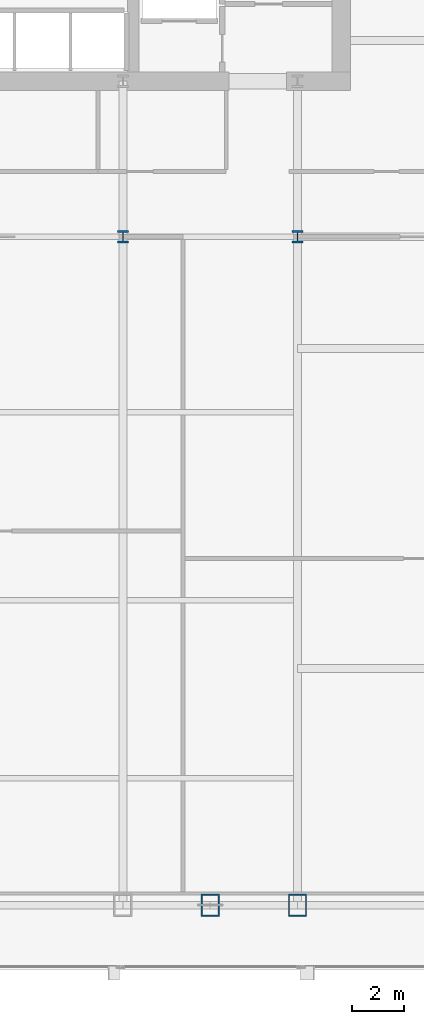
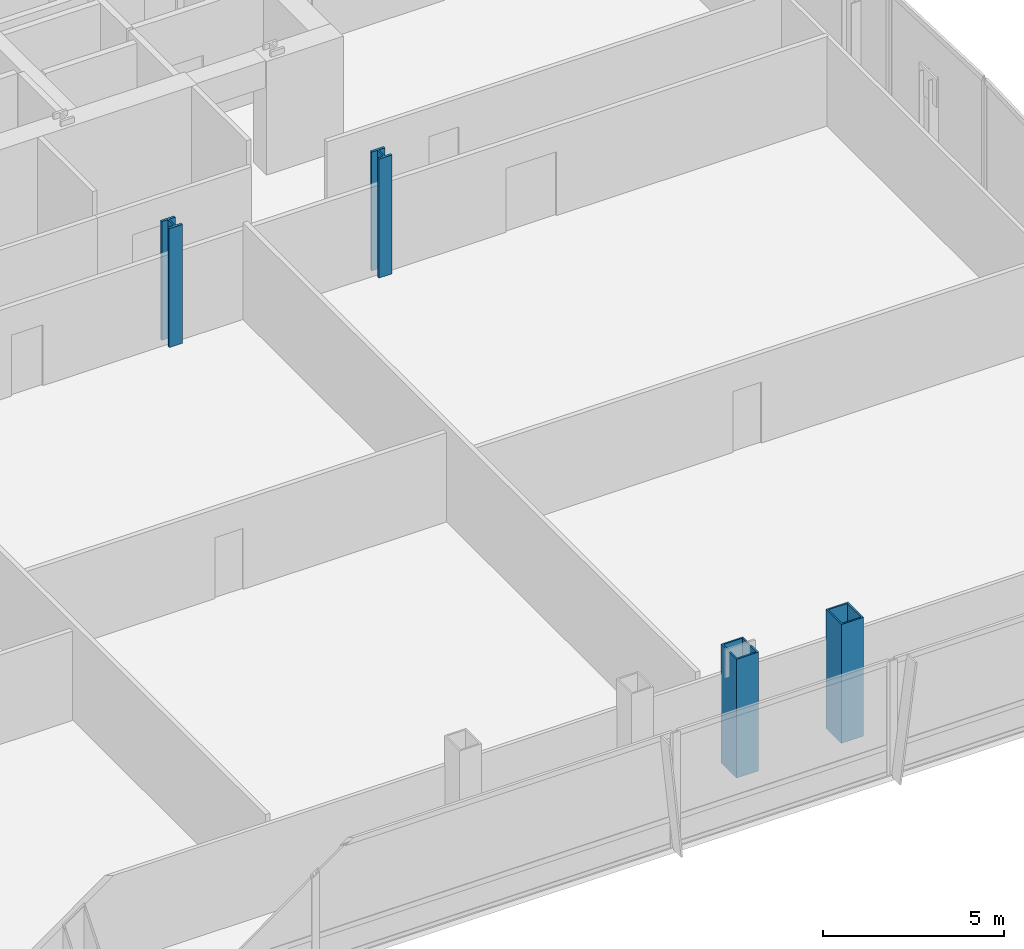
# One storey, part 2 of 30: 4 columns.
"""IFC4 building model written with IfcOpenShell, lengths in metres."""

from ifc_helpers import new_model, si_unit, direction, frame, origin, origin_2d, place, context, subcontext, project, spatial, hollow_rectangle, i_section, extrude, material, material_profile, profile_set, type_object, element, save


model = new_model("IFC4")

# Units and contexts
model_context = context("Model", 3, precision=1e-05, world=origin(), true_north=direction((0.0, 1.0)))
body_context = subcontext(model_context, "Body", "Model", "MODEL_VIEW")
ifc_project = project(units=[si_unit("LENGTHUNIT", "METRE"), si_unit("AREAUNIT", "SQUARE_METRE"), si_unit("VOLUMEUNIT", "CUBIC_METRE"), si_unit("PLANEANGLEUNIT", "RADIAN"), si_unit("MASSUNIT", "GRAM", prefix="KILO")], contexts=[model_context])

# Site, building, storey
site_placement = place(None, origin())
site = spatial("IfcSite", under=ifc_project, at=site_placement, CompositionType="ELEMENT")
building_placement = place(site_placement, origin())
building = spatial("IfcBuilding", under=site, at=building_placement, Name="Khoronbel Lancet Exchange", CompositionType="ELEMENT")
storey_placement = place(building_placement, frame((0.0, 0.0, 90.60009765625)))
storey = spatial("IfcBuildingStorey", under=building, at=storey_placement, Name="L21", CompositionType="ELEMENT", Elevation=90.60009765625)

# Columns
ifc_material = material(Name="Steel S460", Category="steel")
ifc_material_profile_1 = material_profile(ifc_material, hollow_rectangle(XDim=0.699951171875, YDim=0.85009765625, WallThickness=0.050048828125, at=origin_2d()), Name="BOX 850x700x50")
ifc_profile_set_1 = profile_set([ifc_material_profile_1], Name="Steel S460")
column_type_1 = type_object("IfcColumnType", Name="COL-EC2", PredefinedType="COLUMN", material=ifc_profile_set_1)
for number, where, z_axis, x_axis, name in (
    (1, (51.33740234375, 10.14990234375, 0.0), (0.0, 0.0, 1.0), (1.0, 0.0, 0.0), "Structural column SC-EM L21"),
    (2, (54.675048828125, 10.14990234375, 0.0), (0.0, 0.0, 1.0), (1.0, 0.0, 0.0), "Structural column SC-E2 L21"),
):
    element("IfcColumn", number, at=place(storey_placement, frame(where, z_axis=z_axis, x_axis=x_axis)), inside=storey, type_object=column_type_1, Name=name, PredefinedType="COLUMN", context=body_context, shape_type="SweptSolid", body=[
        extrude(hollow_rectangle(XDim=0.699951171875, YDim=0.85009765625, WallThickness=0.050048828125, at=origin_2d()), origin(), (0.0, 0.0, 1.0), 4.0),
    ])
ifc_material_profile_2 = material_profile(ifc_material, i_section(OverallWidth=0.424072265625, OverallDepth=0.47412109375, WebThickness=0.047607421875, FlangeThickness=0.076904296875, at=origin_2d()), Name="HD 400x634")
ifc_profile_set_2 = profile_set([ifc_material_profile_2], Name="Steel S460")
column_type_2 = type_object("IfcColumnType", Name="COL-IC1", PredefinedType="COLUMN", material=ifc_profile_set_2)
for number, where, z_axis, x_axis, name in (
    (3, (48.0, 35.699951171875, 0.0), (0.0, 0.0, 1.0), (1.0, 0.0, 0.0), "Spine gravity column TC3 L21"),
    (4, (54.675048828125, 35.699951171875, 0.0), (0.0, 0.0, 1.0), (1.0, 0.0, 0.0), "Spine gravity column TC4 L21"),
):
    element("IfcColumn", number, at=place(storey_placement, frame(where, z_axis=z_axis, x_axis=x_axis)), inside=storey, type_object=column_type_2, Name=name, PredefinedType="COLUMN", context=body_context, shape_type="SweptSolid", body=[
        extrude(i_section(OverallWidth=0.424072265625, OverallDepth=0.47412109375, WebThickness=0.047607421875, FlangeThickness=0.076904296875, at=origin_2d()), origin(), (0.0, 0.0, 1.0), 4.0),
    ])

save(model, "model.ifc")
